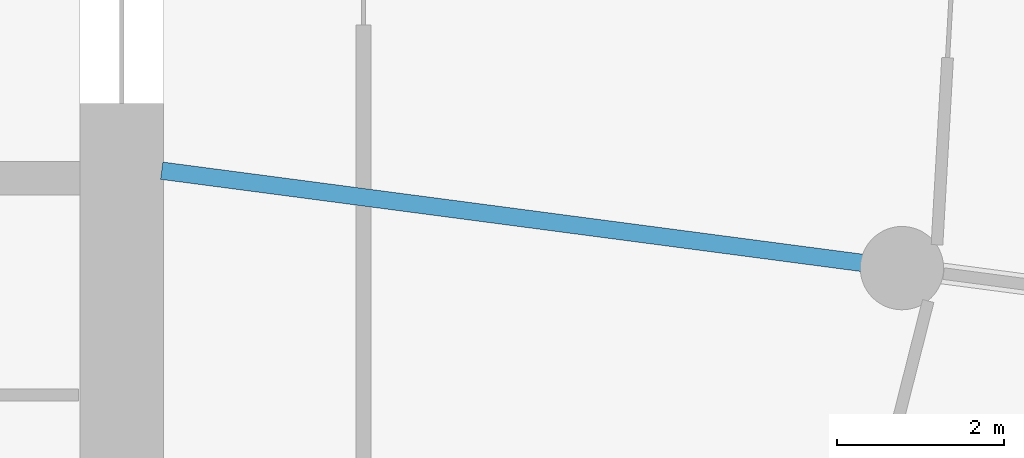
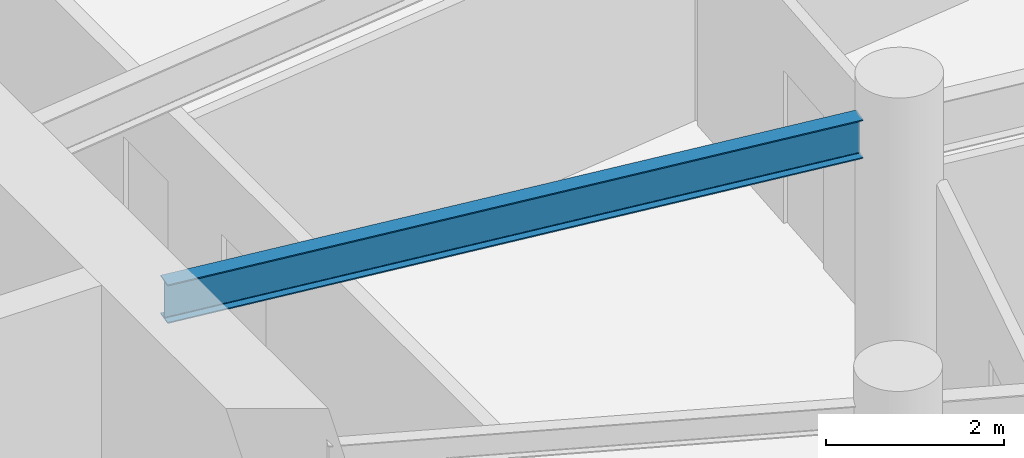
# One storey, part 5 of 19: 1 beam.
"""IFC4 building model written with IfcOpenShell, lengths in metres."""

import ifcopenshell
import ifcopenshell.guid

model = None  # the IFC model being written
_history = None  # IfcOwnerHistory: only IFC2X3 demands one
_inside = {}  # id of a spatial element -> (the spatial element, [elements in it])
_under = {}  # id of a project, library or spatial element -> (it, [spatial elements below it])
_declared = {}  # id of a project -> (the project, [libraries it declares])
_typed = {}  # id of a type object -> (the type object, [elements of that type])
_made_of = {}  # id of a material, layer set ... -> (it, [elements and type objects made of it])


def new_model(schema):
    """Start an empty IFC model of exactly this schema.

    Asked for "IFC4X3", IfcOpenShell would pick the latest addendum, in which some entities
    have other attributes; the version numbers below select the first issue.
    IFC2X3 requires an IfcOwnerHistory on every rooted entity: one is made here for all.
    """
    global model, _history
    if schema == "IFC4X3":
        model = ifcopenshell.file(schema_version=(4, 3, 0, 0))
    else:
        model = ifcopenshell.file(schema=schema)
    _inside.clear()
    _under.clear()
    _declared.clear()
    _typed.clear()
    _made_of.clear()
    _history = None
    if model.schema == "IFC2X3":
        org = make("IfcOrganization", Name="unknown")
        user = make(
            "IfcPersonAndOrganization",
            ThePerson=make("IfcPerson", FamilyName="unknown"),
            TheOrganization=org,
        )
        app = make(
            "IfcApplication",
            ApplicationDeveloper=org,
            Version="unknown",
            ApplicationFullName="unknown",
            ApplicationIdentifier="unknown",
        )
        _history = make(
            "IfcOwnerHistory",
            OwningUser=user,
            OwningApplication=app,
            ChangeAction="ADDED",
            CreationDate=0,
        )
    return model


def make(cls, **values):
    """One entity of the class cls with the attributes given. An attribute that is None is left unset."""
    return model.create_entity(
        cls, **{name: value for name, value in values.items() if value is not None}
    )


def rooted(cls, **values):
    """An entity with a GlobalId (a new one), such as an element, a storey or a relation."""
    return make(cls, GlobalId=ifcopenshell.guid.new(), OwnerHistory=_history, **values)


def si_unit(unit_type, name, prefix=None):
    """IfcSIUnit, for example si_unit("LENGTHUNIT", "METRE", prefix="MILLI")."""
    return make("IfcSIUnit", UnitType=unit_type, Prefix=prefix, Name=name)


def assignment(units):
    """IfcUnitAssignment: the units of a project."""
    return None if units is None else make("IfcUnitAssignment", Units=units)


def point(xyz):
    """IfcCartesianPoint."""
    return None if xyz is None else make("IfcCartesianPoint", Coordinates=xyz)


def direction(xyz):
    """IfcDirection."""
    return None if xyz is None else make("IfcDirection", DirectionRatios=xyz)


def frame(location, z_axis=None, x_axis=None):
    """IfcAxis2Placement3D, a coordinate frame: its origin and axes. An axis left out is left unset."""
    return make(
        "IfcAxis2Placement3D",
        Location=point(location),
        Axis=direction(z_axis),
        RefDirection=direction(x_axis),
    )


def frame_2d(location, x_axis=None):
    """IfcAxis2Placement2D, a coordinate frame in the plane: its origin and x axis."""
    return make(
        "IfcAxis2Placement2D", Location=point(location), RefDirection=direction(x_axis)
    )


def origin():
    """The frame at (0, 0, 0) with its axes left unset."""
    return frame((0.0, 0.0, 0.0))


def origin_2d():
    """The frame at (0, 0) in the plane with its x axis left unset."""
    return frame_2d((0.0, 0.0))


def place(relative_to, where):
    """IfcLocalPlacement: puts the frame where relative to a parent placement (None: the world)."""
    return make(
        "IfcLocalPlacement", PlacementRelTo=relative_to, RelativePlacement=where
    )


def context(
    kind, dimensions, precision=None, world=None, true_north=None, identifier=None
):
    """IfcGeometricRepresentationContext, for example the 3D "Model" context."""
    return make(
        "IfcGeometricRepresentationContext",
        ContextIdentifier=identifier,
        ContextType=kind,
        CoordinateSpaceDimension=dimensions,
        Precision=precision,
        WorldCoordinateSystem=world,
        TrueNorth=true_north,
    )


def subcontext(parent, identifier, kind, view, scale=None):
    """IfcGeometricRepresentationSubContext, for example "Body" below "Model"."""
    return make(
        "IfcGeometricRepresentationSubContext",
        ContextIdentifier=identifier,
        ContextType=kind,
        ParentContext=parent,
        TargetScale=scale,
        TargetView=view,
    )


def project(units=None, contexts=None):
    """IfcProject with its units and contexts."""
    return rooted(
        "IfcProject",
        Name="project",
        RepresentationContexts=contexts,
        UnitsInContext=assignment(units),
    )


def spatial(cls, under=None, at=None, **own):
    """A site, building, storey or space (cls), placed at a placement, below another one or the project."""
    s = rooted(cls, ObjectPlacement=at, **own)
    if under is not None:
        _under.setdefault(under.id(), (under, []))[1].append(s)
    return s


def profile(cls, at=None, kind="AREA", **sizes):
    """A parametric profile (cls). Its sizes go by their IFC names, for example OverallWidth=200.0."""
    return make(cls, ProfileType=kind, Position=at, **sizes)


def i_section(**sizes):
    """IfcIShapeProfileDef."""
    return profile("IfcIShapeProfileDef", **sizes)


def extrude(swept, where, along, depth):
    """IfcExtrudedAreaSolid: the profile swept, set in the frame where, extruded along a direction by depth."""
    return make(
        "IfcExtrudedAreaSolid",
        SweptArea=swept,
        Position=where,
        ExtrudedDirection=direction(along),
        Depth=depth,
    )


def shape(context_of_items, identifier, shape_type, items):
    """IfcShapeRepresentation: the items that make up one representation, for example the "Body"."""
    return make(
        "IfcShapeRepresentation",
        ContextOfItems=context_of_items,
        RepresentationIdentifier=identifier,
        RepresentationType=shape_type,
        Items=items,
    )


def source(mapping_origin, context_of_items, identifier, shape_type, items):
    """IfcRepresentationMap: a shape defined once, which mapped items show again and again."""
    return make(
        "IfcRepresentationMap",
        MappingOrigin=mapping_origin,
        MappedRepresentation=shape(context_of_items, identifier, shape_type, items),
    )


def transform(
    local_origin,
    x_axis=None,
    y_axis=None,
    z_axis=None,
    scale=None,
    scale2=None,
    scale3=None,
    uniform=True,
):
    """IfcCartesianTransformationOperator3D, or its non-uniform kind. x_axis, y_axis, z_axis: its Axis1, 2, 3."""
    if uniform:
        return make(
            "IfcCartesianTransformationOperator3D",
            Axis1=direction(x_axis),
            Axis2=direction(y_axis),
            LocalOrigin=point(local_origin),
            Scale=scale,
            Axis3=direction(z_axis),
        )
    return make(
        "IfcCartesianTransformationOperator3DnonUniform",
        Axis1=direction(x_axis),
        Axis2=direction(y_axis),
        LocalOrigin=point(local_origin),
        Scale=scale,
        Axis3=direction(z_axis),
        Scale2=scale2,
        Scale3=scale3,
    )


def mapped(mapping_source, mapping_target):
    """IfcMappedItem: shows the shape of a source again, moved by a transform."""
    return make(
        "IfcMappedItem", MappingSource=mapping_source, MappingTarget=mapping_target
    )


def material(Name=None, Category=None):
    """IfcMaterial."""
    return make("IfcMaterial", Name=Name, Category=Category)


def material_profile(
    of_material, cross_section, Name=None, Category=None, Priority=None
):
    """IfcMaterialProfile: a cross section and its material."""
    return make(
        "IfcMaterialProfile",
        Name=Name,
        Material=of_material,
        Profile=cross_section,
        Priority=Priority,
        Category=Category,
    )


def profile_set(profiles, Name=None, composite=None):
    """IfcMaterialProfileSet."""
    return make(
        "IfcMaterialProfileSet",
        Name=Name,
        MaterialProfiles=profiles,
        CompositeProfile=composite,
    )


def made_of(thing, what):
    """Note that an element or type object is made of a material, layer set ...; save() writes the relation."""
    if what is not None:
        _made_of.setdefault(what.id(), (what, []))[1].append(thing)
    return thing


def type_object(cls, material=None, **own):
    """A type object (cls), such as IfcWallType, which elements share."""
    return made_of(rooted(cls, **own), material)


def element(
    cls,
    number,
    at=None,
    inside=None,
    cuts=None,
    type_object=None,
    material=None,
    context=None,
    identifier="Body",
    shape_type=None,
    held_by="IfcProductDefinitionShape",
    body=None,
    shapes=None,
    **own,
):
    """One element of the class cls, such as IfcWall. Its Tag is "e" and its number.

    at: its placement. inside: the storey or other place that contains it. cuts: it is an
    opening in that element (IfcRelVoidsElement). A single representation is given by context,
    identifier, shape_type and body (its items); several are given by shapes. held_by: the class
    of the entity that holds the representations. save() writes the other relations.
    """
    e = rooted(cls, Tag="e%d" % number, ObjectPlacement=at, **own)
    if body is not None:
        shapes = [shape(context, identifier, shape_type, body)]
    if shapes is not None:
        e.Representation = make(held_by, Representations=shapes)
    if inside is not None:
        _inside.setdefault(inside.id(), (inside, []))[1].append(e)
    if cuts is not None:
        rooted(
            "IfcRelVoidsElement", RelatingBuildingElement=cuts, RelatedOpeningElement=e
        )
    if type_object is not None:
        _typed.setdefault(type_object.id(), (type_object, []))[1].append(e)
    return made_of(e, material)


def aggregate(whole, parts):
    """IfcRelAggregates: a whole, such as a stair, and the parts it consists of."""
    return rooted("IfcRelAggregates", RelatingObject=whole, RelatedObjects=parts)


def save(model, path):
    """Write the relations noted so far, then the file.

    IfcRelAggregates (storeys below a building ...), IfcRelContainedInSpatialStructure (elements
    in a storey), IfcRelDefinesByType, IfcRelAssociatesMaterial and IfcRelDeclares: one each for
    every whole, place, type object, material and project.
    """
    for whole, parts in _under.values():
        aggregate(whole, parts)
    for where, things in _inside.values():
        rooted(
            "IfcRelContainedInSpatialStructure",
            RelatedElements=things,
            RelatingStructure=where,
        )
    for kind, things in _typed.values():
        rooted("IfcRelDefinesByType", RelatedObjects=things, RelatingType=kind)
    for what, things in _made_of.values():
        rooted("IfcRelAssociatesMaterial", RelatedObjects=things, RelatingMaterial=what)
    for by, libraries in _declared.values():
        rooted("IfcRelDeclares", RelatingContext=by, RelatedDefinitions=libraries)
    model.write(path)


model = new_model("IFC4")

# Units and contexts
model_context = context("Model", 3, precision=1e-05, world=origin(), true_north=direction((0.0, 1.0)))
body_context = subcontext(model_context, "Body", "Model", "MODEL_VIEW")
ifc_project = project(units=[si_unit("LENGTHUNIT", "METRE"), si_unit("AREAUNIT", "SQUARE_METRE"), si_unit("VOLUMEUNIT", "CUBIC_METRE"), si_unit("PLANEANGLEUNIT", "RADIAN"), si_unit("MASSUNIT", "GRAM", prefix="KILO")], contexts=[model_context])

# Site, building, storey
site_placement = place(None, origin())
site = spatial("IfcSite", under=ifc_project, at=site_placement, CompositionType="ELEMENT")
building_placement = place(site_placement, origin())
building = spatial("IfcBuilding", under=site, at=building_placement, Name="Spindrift Exchange Tower", CompositionType="ELEMENT")
storey_placement = place(building_placement, frame((0.0, 0.0, 44.60009765625)))
storey = spatial("IfcBuildingStorey", under=building, at=storey_placement, Name="L10", CompositionType="ELEMENT", Elevation=44.60009765625)

# Beam
ifc_material = material(Name="Steel Grade 300", Category="steel")
ifc_material_profile = material_profile(ifc_material, i_section(OverallWidth=0.208984375, OverallDepth=0.532958984375, WebThickness=0.01025390625, FlangeThickness=0.015625, FilletRadius=0.013916015625, at=origin_2d()), Name="530UB92.4")
ifc_profile_set = profile_set([ifc_material_profile], Name="Steel Grade 300")
beam_type = type_object("IfcBeamType", Name="Floor Beam 530UB92.4 Steel Grade 300", PredefinedType="BEAM", material=ifc_profile_set)
shared_shape = source(origin(), body_context, "Body", "SweptSolid", [
    extrude(i_section(OverallWidth=0.208984375, OverallDepth=0.532958984375, WebThickness=0.01025390625, FlangeThickness=0.015625, FilletRadius=0.013916015625, at=origin_2d()), origin(), (0.0, 0.0, 1.0), 8.4794921875),
])
beam_placement = place(storey_placement, frame((64.980224609375, 46.291015625, 3.683349609375), z_axis=(0.991446551951, -0.13051335037, 0.0), x_axis=(0.13051335037, 0.991446551951, 0.0)))
element("IfcBeam", 1, at=beam_placement, inside=storey, type_object=beam_type, Name="L10 radial beam R24A", PredefinedType="BEAM", context=body_context, shape_type="MappedRepresentation", body=[
    mapped(shared_shape, transform((0.0, 0.0, 0.0), scale=1.0)),
])

save(model, "model.ifc")
